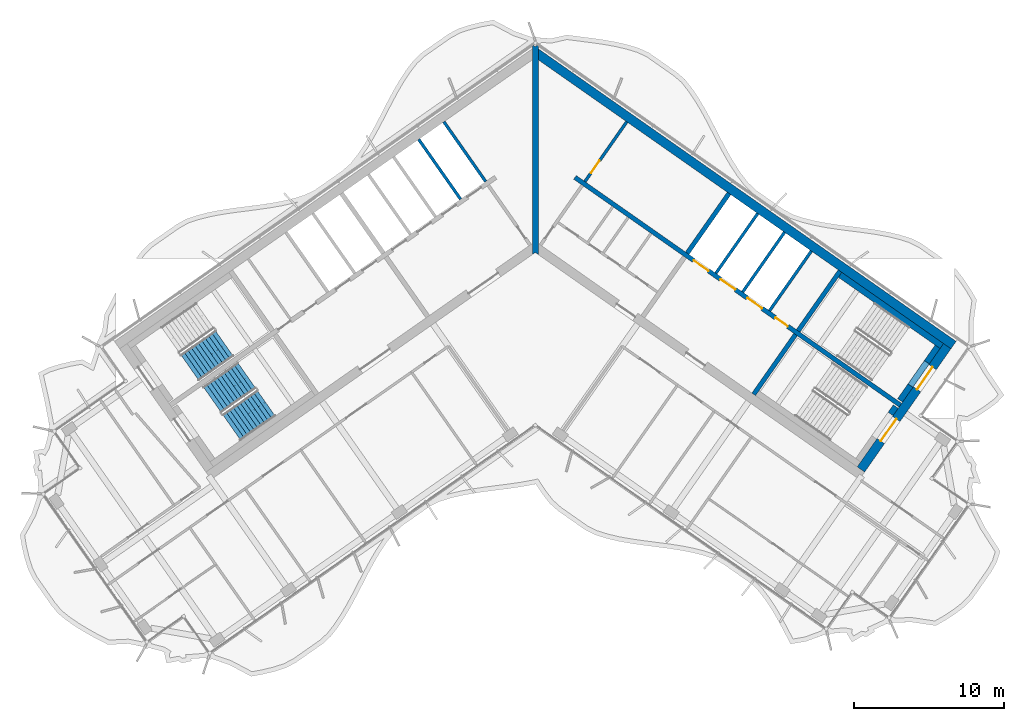
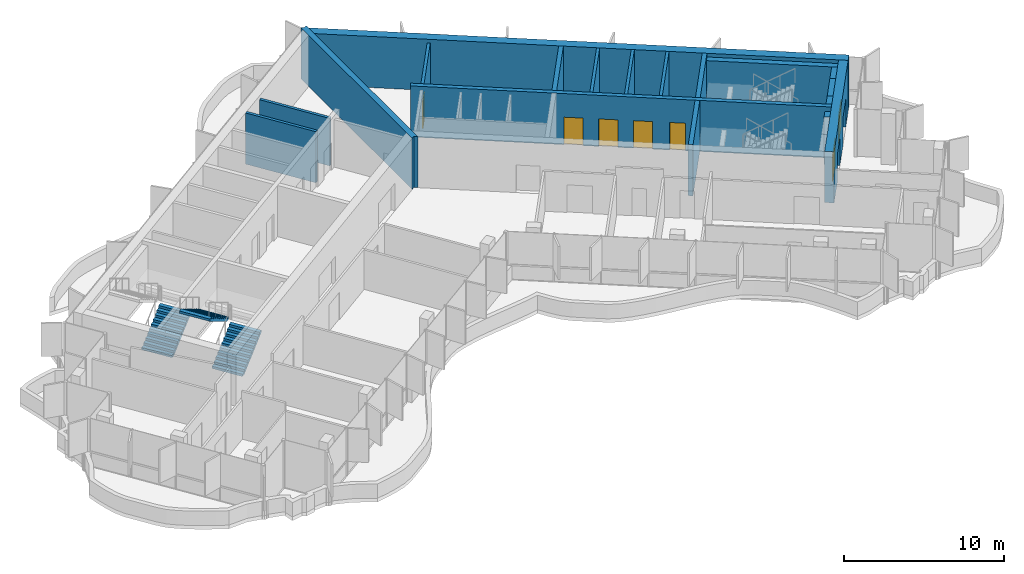
# One storey, part 11 of 17: 18 walls, 7 doors, 3 stair flights, 7 openings, 2 elements without a shape of their own.
"""IFC4 building model written with IfcOpenShell, lengths in metres."""

from ifc_helpers import new_model, si_unit, direction, frame, frame_2d, origin, place, context, subcontext, project, spatial, polyline, rectangle, outline, extrude, material, layer, layer_set, type_object, element, fill, aggregate, save


model = new_model("IFC4")

# Units and contexts
model_context = context("Model", 3, precision=1e-05, world=origin(), true_north=direction((0.0, 1.0)))
body_context = subcontext(model_context, "Body", "Model", "MODEL_VIEW")
ifc_project = project(units=[si_unit("LENGTHUNIT", "METRE"), si_unit("AREAUNIT", "SQUARE_METRE"), si_unit("VOLUMEUNIT", "CUBIC_METRE"), si_unit("PLANEANGLEUNIT", "RADIAN"), si_unit("MASSUNIT", "GRAM", prefix="KILO")], contexts=[model_context])

# Site, building, storey
site_placement = place(None, origin())
site = spatial("IfcSite", under=ifc_project, at=site_placement, CompositionType="ELEMENT")
building_placement = place(site_placement, origin())
building = spatial("IfcBuilding", under=site, at=building_placement, Name="Tel Ilan Convention Tower", CompositionType="ELEMENT")
storey_placement = place(building_placement, frame((0.0, 0.0, 283.89990234375)))
storey = spatial("IfcBuildingStorey", under=building, at=storey_placement, Name="L67", CompositionType="ELEMENT", Elevation=283.89990234375)

# Wall
ifc_material_1 = material(Name="Concrete C30/37", Category="concrete")
ifc_layer_1 = layer(ifc_material_1, 0.199951171875)
ifc_layer_set_1 = layer_set([ifc_layer_1], Name="Core Service Room Wall 200 mm C30/37")
wall_type_1 = type_object("IfcWallType", Name="Core Service Room Wall 200 mm C30/37", PredefinedType="SOLIDWALL", material=ifc_layer_set_1)
wall_1_placement = place(storey_placement, frame((-3.2978515625, 3.489501953125, 0.0), z_axis=(0.0, 0.0, 1.0), x_axis=(-0.573560315113, 0.819163332265, 0.0)))
element("IfcWall", 1, at=wall_1_placement, inside=storey, type_object=wall_type_1, Name="L67 core wall apex-W-b", PredefinedType="SOLIDWALL", context=body_context, shape_type="SweptSolid", body=[
    extrude(rectangle(XDim=4.849853515625, YDim=0.199951171875, at=frame_2d((2.4248046875, 0.0))), origin(), (0.0, 0.0, 1.0), 3.6201171875),
])

# Wall, opening, door
wall_2_placement = place(storey_placement, frame((3.2978515625, 3.489501953125, 0.0), z_axis=(0.0, 0.0, 1.0), x_axis=(0.573560315113, 0.819163332265, 0.0)))
wall_2 = element("IfcWall", 2, at=wall_2_placement, inside=storey, type_object=wall_type_1, Name="L67 core wall apex-E-b", PredefinedType="SOLIDWALL", context=body_context, shape_type="SweptSolid", body=[
    extrude(rectangle(XDim=4.849853515625, YDim=0.199951171875, at=frame_2d((2.4248046875, 0.0))), origin(), (0.0, 0.0, 1.0), 3.6201171875),
])
opening_1_placement = place(wall_2_placement, frame((0.699951171875, 0.0, 0.0)))
opening_1 = element("IfcOpeningElement", 3, at=opening_1_placement, cuts=wall_2, Name="Opening CD5003", PredefinedType="OPENING", context=body_context, shape_type="SweptSolid", body=[
    extrude(rectangle(XDim=1.0, YDim=2.10009765625, at=frame_2d((0.5, 1.050048828125))), frame((0.0, 0.10986328125, 0.0), z_axis=(0.0, -1.0, 0.0), x_axis=(1.0, 0.0, 0.0)), (0.0, 0.0, 1.0), 0.219970703125),
])
ifc_material_2 = material(Name="Galvanised Steel Door Leaf", Category="steel")
door_type_1 = type_object("IfcDoorType", Name="Service Room Door 1000 x 2100 FD60", OperationType="NOTDEFINED", PredefinedType="DOOR", material=ifc_material_2)
door_1_placement = place(opening_1_placement, origin())
door_1 = element("IfcDoor", 4, at=door_1_placement, inside=storey, type_object=door_type_1, Name="Plant Room door", OperationType="SINGLE_SWING_RIGHT", OverallHeight=2.10009765625, OverallWidth=1.0, PredefinedType="DOOR", context=body_context, shape_type="SweptSolid", body=[
    extrude(rectangle(XDim=1.0, YDim=2.10009765625, at=frame_2d((0.5, 1.050048828125))), frame((0.0, 0.02490234375, 0.0), z_axis=(0.0, -1.0, 0.0), x_axis=(1.0, 0.0, 0.0)), (0.0, 0.0, 1.0), 0.050048828125),
])
fill(opening_1, door_1)

# Walls
ifc_material_3 = material(Name="Concrete C40/50", Category="concrete")
ifc_layer_2 = layer(ifc_material_3, 0.300048828125)
ifc_layer_set_2 = layer_set([ifc_layer_2], Name="Core Shear Wall 300 mm C40/50")
wall_type_2 = type_object("IfcWallType", Name="Core Shear Wall 300 mm C40/50", PredefinedType="SHEAR", material=ifc_layer_set_2)
wall_3_placement = place(storey_placement, frame((10.096923828125, -1.271240234375, 0.0), z_axis=(0.0, 0.0, 1.0), x_axis=(0.573560315113, 0.819163332265, 0.0)))
element("IfcWall", 5, at=wall_3_placement, inside=storey, type_object=wall_type_2, Name="L67 core wall E-cross1-2", PredefinedType="SHEAR", context=body_context, shape_type="SweptSolid", body=[
    extrude(outline(polyline([(4.849853515625, -0.150146484375), (4.849853515625, 0.14990234375), (0.0, 0.150146484375), (0.0, -0.14990234375), (4.849853515625, -0.150146484375)])), origin(), (0.0, 0.0, 1.0), 3.900146484375),
])
wall_4_placement = place(storey_placement, frame((14.515380859375, -10.652099609375, 0.0), z_axis=(0.0, 0.0, 1.0), x_axis=(0.573560315113, 0.819163332265, 0.0)))
element("IfcWall", 6, at=wall_4_placement, inside=storey, type_object=wall_type_2, Name="L67 core wall E-cross2-1", PredefinedType="SHEAR", context=body_context, shape_type="SweptSolid", body=[
    extrude(outline(polyline([(0.0, 0.150146484375), (0.0, -0.14990234375), (4.85009765625, -0.14990234375), (4.85009765625, 0.14990234375), (0.0, 0.150146484375)])), origin(), (0.0, 0.0, 1.0), 3.900146484375),
])
wall_5_placement = place(storey_placement, frame((17.46923828125, -6.433349609375, 0.0), z_axis=(0.0, 0.0, 1.0), x_axis=(0.573594092424, 0.81913968109, 0.0)))
element("IfcWall", 7, at=wall_5_placement, inside=storey, type_object=wall_type_2, Name="L67 core wall E-cross2-2", PredefinedType="SHEAR", context=body_context, shape_type="SweptSolid", body=[
    extrude(outline(polyline([(4.849853515625, -0.14990234375), (4.849853515625, 0.150146484375), (0.0, 0.14990234375), (0.0, -0.14990234375), (4.849853515625, -0.14990234375)])), origin(), (0.0, 0.0, 1.0), 3.900146484375),
])

# Wall, openings, doors
wall_6_placement = place(storey_placement, frame((2.638427734375, 3.76806640625, 0.0), z_axis=(0.0, 0.0, 1.0), x_axis=(0.819155014212, -0.573572194837, 0.0)))
wall_6 = element("IfcWall", 8, at=wall_6_placement, inside=storey, type_object=wall_type_2, Name="L67 core wall E-spine", PredefinedType="SHEAR", context=body_context, shape_type="SweptSolid", body=[
    extrude(outline(polyline([(0.0, 0.150146484375), (0.0, -0.14990234375), (26.39990234375, -0.150146484375), (26.39990234375, 0.14990234375), (0.0, 0.150146484375)])), origin(), (0.0, 0.0, 1.0), 3.900146484375),
])
opening_2_placement = place(wall_6_placement, frame((9.637451171875, 0.0, 0.0)))
opening_2 = element("IfcOpeningElement", 9, at=opening_2_placement, cuts=wall_6, Name="Opening LD5001", PredefinedType="OPENING", context=body_context, shape_type="SweptSolid", body=[
    extrude(rectangle(XDim=1.199951171875, YDim=2.10009765625, at=frame_2d((0.60009765625, 1.050048828125))), frame((0.0, 0.159912109375, 0.0), z_axis=(0.0, -1.0, 0.0), x_axis=(1.0, 0.0, 0.0)), (0.0, 0.0, 1.0), 0.320068359375),
])
opening_3_placement = place(wall_6_placement, frame((11.8125, 0.0, 0.0)))
opening_3 = element("IfcOpeningElement", 10, at=opening_3_placement, cuts=wall_6, Name="Opening LD5002", PredefinedType="OPENING", context=body_context, shape_type="SweptSolid", body=[
    extrude(rectangle(XDim=1.199951171875, YDim=2.10009765625, at=frame_2d((0.60009765625, 1.050048828125))), frame((0.0, 0.159912109375, 0.0), z_axis=(0.0, -1.0, 0.0), x_axis=(1.0, 0.0, 0.0)), (0.0, 0.0, 1.0), 0.320068359375),
])
opening_4_placement = place(wall_6_placement, frame((13.987548828125, 0.0, 0.0)))
opening_4 = element("IfcOpeningElement", 11, at=opening_4_placement, cuts=wall_6, Name="Opening LD5003", PredefinedType="OPENING", context=body_context, shape_type="SweptSolid", body=[
    extrude(rectangle(XDim=1.199951171875, YDim=2.10009765625, at=frame_2d((0.60009765625, 1.050048828125))), frame((0.0, 0.159912109375, 0.0), z_axis=(0.0, -1.0, 0.0), x_axis=(1.0, 0.0, 0.0)), (0.0, 0.0, 1.0), 0.320068359375),
])
opening_5_placement = place(wall_6_placement, frame((16.262451171875, 0.0, 0.0)))
opening_5 = element("IfcOpeningElement", 12, at=opening_5_placement, cuts=wall_6, Name="Opening CD5008", PredefinedType="OPENING", context=body_context, shape_type="SweptSolid", body=[
    extrude(rectangle(XDim=1.0, YDim=2.10009765625, at=frame_2d((0.5, 1.050048828125))), frame((0.0, 0.159912109375, 0.0), z_axis=(0.0, -1.0, 0.0), x_axis=(1.0, 0.0, 0.0)), (0.0, 0.0, 1.0), 0.320068359375),
])
ifc_material_4 = material(Name="Stainless Steel Sliding Door Leaf", Category="steel")
door_type_2 = type_object("IfcDoorType", Name="Lift Landing Door 1200 x 2100 FD120", OperationType="NOTDEFINED", PredefinedType="DOOR", material=ifc_material_4)
door_2_placement = place(opening_2_placement, origin())
door_2 = element("IfcDoor", 13, at=door_2_placement, inside=storey, type_object=door_type_2, Name="Lift FL1 landing door", OperationType="SLIDING_TO_LEFT", OverallHeight=2.10009765625, OverallWidth=1.199951171875, PredefinedType="DOOR", context=body_context, shape_type="SweptSolid", body=[
    extrude(rectangle(XDim=1.199951171875, YDim=2.10009765625, at=frame_2d((0.60009765625, 1.050048828125))), frame((0.0, 0.02490234375, 0.0), z_axis=(0.0, -1.0, 0.0), x_axis=(1.0, 0.0, 0.0)), (0.0, 0.0, 1.0), 0.050048828125),
])
fill(opening_2, door_2)
door_3_placement = place(opening_3_placement, origin())
door_3 = element("IfcDoor", 14, at=door_3_placement, inside=storey, type_object=door_type_2, Name="Lift FL2 landing door", OperationType="SLIDING_TO_RIGHT", OverallHeight=2.10009765625, OverallWidth=1.199951171875, PredefinedType="DOOR", context=body_context, shape_type="SweptSolid", body=[
    extrude(rectangle(XDim=1.199951171875, YDim=2.10009765625, at=frame_2d((0.60009765625, 1.050048828125))), frame((0.0, 0.02490234375, 0.0), z_axis=(0.0, -1.0, 0.0), x_axis=(1.0, 0.0, 0.0)), (0.0, 0.0, 1.0), 0.050048828125),
])
fill(opening_3, door_3)
door_4_placement = place(opening_4_placement, origin())
door_4 = element("IfcDoor", 15, at=door_4_placement, inside=storey, type_object=door_type_2, Name="Lift FL3 landing door", OperationType="SLIDING_TO_LEFT", OverallHeight=2.10009765625, OverallWidth=1.199951171875, PredefinedType="DOOR", context=body_context, shape_type="SweptSolid", body=[
    extrude(rectangle(XDim=1.199951171875, YDim=2.10009765625, at=frame_2d((0.60009765625, 1.050048828125))), frame((0.0, 0.02490234375, 0.0), z_axis=(0.0, -1.0, 0.0), x_axis=(1.0, 0.0, 0.0)), (0.0, 0.0, 1.0), 0.050048828125),
])
fill(opening_4, door_4)
door_5_placement = place(opening_5_placement, origin())
door_5 = element("IfcDoor", 16, at=door_5_placement, inside=storey, type_object=door_type_1, Name="Plant Room door", OperationType="SINGLE_SWING_RIGHT", OverallHeight=2.10009765625, OverallWidth=1.0, PredefinedType="DOOR", context=body_context, shape_type="SweptSolid", body=[
    extrude(rectangle(XDim=1.0, YDim=2.10009765625, at=frame_2d((0.5, 1.050048828125))), frame((0.0, 0.02490234375, 0.0), z_axis=(0.0, -1.0, 0.0), x_axis=(1.0, 0.0, 0.0)), (0.0, 0.0, 1.0), 0.050048828125),
])
fill(opening_5, door_5)

# Walls
ifc_material_5 = material(Name="Concrete C40/50", Category="concrete")
ifc_layer_3 = layer(ifc_material_5, 0.39990234375)
ifc_layer_set_3 = layer_set([ifc_layer_3], Name="Core Shear Wall 400 mm C40/50")
wall_type_3 = type_object("IfcWallType", Name="Core Shear Wall 400 mm C40/50", PredefinedType="SHEAR", material=ifc_layer_set_3)
wall_7_placement = place(storey_placement, frame((0.0, -1.36083984375, 0.0), z_axis=(0.0, 0.0, 1.0), x_axis=(0.0, 1.0, 0.0)))
element("IfcWall", 17, at=wall_7_placement, inside=storey, type_object=wall_type_3, Name="L67 core wall K-central", PredefinedType="SHEAR", context=body_context, shape_type="SweptSolid", body=[
    extrude(outline(polyline([(0.14013671875, 0.199951171875), (0.0, 0.199951171875), (0.14013671875, 0.0), (0.0, -0.199951171875), (0.14013671875, -0.199951171875), (1.012451171875, -0.199951171875), (12.940185546875, -0.199951171875), (13.812744140625, -0.199951171875), (13.893310546875, -0.199951171875), (13.933349609375, -0.172119140625), (13.812744140625, 0.0), (13.933349609375, 0.172119140625), (13.893310546875, 0.199951171875), (13.812744140625, 0.199951171875), (12.940185546875, 0.199951171875), (1.012451171875, 0.199951171875), (0.14013671875, 0.199951171875)])), origin(), (0.0, 0.0, 1.0), 3.900146484375),
])
ifc_material_6 = material(Name="Concrete C40/50", Category="concrete")
ifc_layer_4 = layer(ifc_material_6, 0.60009765625)
ifc_layer_set_4 = layer_set([ifc_layer_4], Name="Core Shear Wall 600 mm C40/50")
wall_type_4 = type_object("IfcWallType", Name="Core Shear Wall 600 mm C40/50", PredefinedType="SHEAR", material=ifc_layer_set_4)
wall_8_placement = place(storey_placement, frame((0.02783203125, 12.066162109375, 0.0), z_axis=(0.0, 0.0, 1.0), x_axis=(0.819151382952, -0.573577380837, 0.0)))
element("IfcWall", 18, at=wall_8_placement, inside=storey, type_object=wall_type_4, Name="L67 core wall E-back", PredefinedType="SHEAR", context=body_context, shape_type="SweptSolid", body=[
    extrude(outline(polyline([(33.898193359375, 0.300048828125), (0.0, 0.300048828125), (0.420166015625, -0.300048828125), (33.89794921875, -0.300048828125), (33.898193359375, 0.300048828125)])), origin(), (0.0, 0.0, 1.0), 3.900146484375),
])

# Wall, openings, doors
wall_9_placement = place(storey_placement, frame((21.641845703125, -15.64208984375, 0.0), z_axis=(0.0, 0.0, 1.0), x_axis=(0.573586866468, 0.819144740944, 0.0)))
wall_9 = element("IfcWall", 19, at=wall_9_placement, inside=storey, type_object=wall_type_4, Name="L67 core wall E-end", PredefinedType="SHEAR", context=body_context, shape_type="SweptSolid", body=[
    extrude(outline(polyline([(10.0, 0.300048828125), (0.0, 0.2998046875), (0.0, -0.300048828125), (10.0, -0.300048828125), (10.0, 0.300048828125)])), origin(), (0.0, 0.0, 1.0), 3.900146484375),
])
opening_6_placement = place(wall_9_placement, frame((6.5, 0.0, 0.0)))
opening_6 = element("IfcOpeningElement", 20, at=opening_6_placement, cuts=wall_9, Name="Opening SD5003", PredefinedType="OPENING", context=body_context, shape_type="SweptSolid", body=[
    extrude(rectangle(XDim=1.800048828125, YDim=2.10009765625, at=frame_2d((0.89990234375, 1.050048828125))), frame((0.0, 0.31005859375, 0.0), z_axis=(0.0, -1.0, 0.0), x_axis=(1.0, 0.0, 0.0)), (0.0, 0.0, 1.0), 0.6201171875),
])
opening_7_placement = place(wall_9_placement, frame((2.300048828125, 0.0, 0.0)))
opening_7 = element("IfcOpeningElement", 21, at=opening_7_placement, cuts=wall_9, Name="Opening SD5004", PredefinedType="OPENING", context=body_context, shape_type="SweptSolid", body=[
    extrude(rectangle(XDim=1.800048828125, YDim=2.10009765625, at=frame_2d((0.89990234375, 1.050048828125))), frame((0.0, 0.31005859375, 0.0), z_axis=(0.0, -1.0, 0.0), x_axis=(1.0, 0.0, 0.0)), (0.0, 0.0, 1.0), 0.6201171875),
])
ifc_material_7 = material(Name="Galvanised Steel Door Leaf", Category="steel")
door_type_3 = type_object("IfcDoorType", Name="Stair Fire Door 1800 x 2100 FD60S", OperationType="NOTDEFINED", PredefinedType="DOOR", material=ifc_material_7)
door_6_placement = place(opening_6_placement, origin())
door_6 = element("IfcDoor", 22, at=door_6_placement, inside=storey, type_object=door_type_3, Name="Stair S3 door", OperationType="DOUBLE_DOOR_SINGLE_SWING", OverallHeight=2.10009765625, OverallWidth=1.800048828125, PredefinedType="DOOR", context=body_context, shape_type="SweptSolid", body=[
    extrude(rectangle(XDim=1.800048828125, YDim=2.10009765625, at=frame_2d((0.89990234375, 1.050048828125))), frame((0.0, 0.02490234375, 0.0), z_axis=(0.0, -1.0, 0.0), x_axis=(1.0, 0.0, 0.0)), (0.0, 0.0, 1.0), 0.050048828125),
])
fill(opening_6, door_6)
door_7_placement = place(opening_7_placement, origin())
door_7 = element("IfcDoor", 23, at=door_7_placement, inside=storey, type_object=door_type_3, Name="Stair S4 door", OperationType="DOUBLE_DOOR_SINGLE_SWING", OverallHeight=2.10009765625, OverallWidth=1.800048828125, PredefinedType="DOOR", context=body_context, shape_type="SweptSolid", body=[
    extrude(rectangle(XDim=1.800048828125, YDim=2.10009765625, at=frame_2d((0.89990234375, 1.050048828125))), frame((0.0, 0.02490234375, 0.0), z_axis=(0.0, -1.0, 0.0), x_axis=(1.0, 0.0, 0.0)), (0.0, 0.0, 1.0), 0.050048828125),
])
fill(opening_7, door_7)

# Walls
ifc_material_8 = material(Name="Concrete C30/37", Category="concrete")
ifc_layer_5 = layer(ifc_material_8, 0.199951171875)
ifc_layer_set_5 = layer_set([ifc_layer_5], Name="Lift Shaft Wall 200 mm C30/37")
wall_type_5 = type_object("IfcWallType", Name="Lift Shaft Wall 200 mm C30/37", PredefinedType="SOLIDWALL", material=ifc_layer_set_5)
wall_10_placement = place(storey_placement, frame((-4.966796875, 2.32080078125, 0.0), z_axis=(0.0, 0.0, 1.0), x_axis=(-0.573594092424, 0.81913968109, 0.0)))
element("IfcWall", 24, at=wall_10_placement, inside=storey, type_object=wall_type_5, Name="L67 core wall bank-W1-p0", PredefinedType="SOLIDWALL", context=body_context, shape_type="SweptSolid", body=[
    extrude(rectangle(XDim=4.85009765625, YDim=0.199951171875, at=frame_2d((2.425048828125, 0.0))), origin(), (0.0, 0.0, 1.0), 3.900146484375),
])
wall_11_placement = place(storey_placement, frame((12.00146484375, -2.604736328125, 0.0), z_axis=(0.0, 0.0, 1.0), x_axis=(0.573560315113, 0.819163332265, 0.0)))
element("IfcWall", 25, at=wall_11_placement, inside=storey, type_object=wall_type_5, Name="L67 core wall bank-E2-p0", PredefinedType="SOLIDWALL", context=body_context, shape_type="SweptSolid", body=[
    extrude(rectangle(XDim=4.849853515625, YDim=0.199951171875, at=frame_2d((2.4248046875, 0.0))), origin(), (0.0, 0.0, 1.0), 3.900146484375),
])
wall_12_placement = place(storey_placement, frame((13.782958984375, -3.852294921875, 0.0), z_axis=(0.0, 0.0, 1.0), x_axis=(0.573594092424, 0.81913968109, 0.0)))
element("IfcWall", 26, at=wall_12_placement, inside=storey, type_object=wall_type_5, Name="L67 core wall bank-E2-p1", PredefinedType="SOLIDWALL", context=body_context, shape_type="SweptSolid", body=[
    extrude(rectangle(XDim=4.85009765625, YDim=0.199951171875, at=frame_2d((2.425048828125, 0.0))), origin(), (0.0, 0.0, 1.0), 3.900146484375),
])
wall_13_placement = place(storey_placement, frame((15.564697265625, -5.099853515625, 0.0), z_axis=(0.0, 0.0, 1.0), x_axis=(0.573560315113, 0.819163332265, 0.0)))
element("IfcWall", 27, at=wall_13_placement, inside=storey, type_object=wall_type_5, Name="L67 core wall bank-E2-p2", PredefinedType="SOLIDWALL", context=body_context, shape_type="SweptSolid", body=[
    extrude(rectangle(XDim=4.849853515625, YDim=0.199951171875, at=frame_2d((2.4248046875, 0.0))), origin(), (0.0, 0.0, 1.0), 3.900146484375),
])
ifc_material_9 = material(Name="Concrete C30/37", Category="concrete")
ifc_layer_6 = layer(ifc_material_9, 0.39990234375)
ifc_layer_set_6 = layer_set([ifc_layer_6], Name="Stair and Shaft Lining Wall 400 mm C30/37")
wall_type_6 = type_object("IfcWallType", Name="Stair and Shaft Lining Wall 400 mm C30/37", PredefinedType="SOLIDWALL", material=ifc_layer_set_6)
wall_14_placement = place(storey_placement, frame((20.25927734375, -2.71044921875, 0.0), z_axis=(0.0, 0.0, 1.0), x_axis=(0.81914849389, -0.573581506813, 0.0)))
element("IfcWall", 28, at=wall_14_placement, inside=storey, type_object=wall_type_6, Name="L67 core wall lining-S3-t1", PredefinedType="SOLIDWALL", context=body_context, shape_type="SweptSolid", body=[
    extrude(rectangle(XDim=8.249755859375, YDim=0.39990234375, at=frame_2d((4.125, 0.0))), origin(), (0.0, 0.0, 1.0), 3.6201171875),
])
wall_15_placement = place(storey_placement, frame((24.24365234375, -11.0546875, 0.0), z_axis=(0.0, 0.0, 1.0), x_axis=(0.573571582932, 0.819155442668, 0.0)))
element("IfcWall", 29, at=wall_15_placement, inside=storey, type_object=wall_type_6, Name="L67 core wall lining-S3-u1-0", PredefinedType="SOLIDWALL", context=body_context, shape_type="SweptSolid", body=[
    extrude(rectangle(XDim=1.199951171875, YDim=0.39990234375, at=frame_2d((0.60009765625, 0.0))), origin(), (0.0, 0.0, 1.0), 3.6201171875),
])
wall_16_placement = place(storey_placement, frame((26.021728515625, -8.515380859375, 0.0), z_axis=(0.0, 0.0, 1.0), x_axis=(0.573619628835, 0.819121798889, 0.0)))
element("IfcWall", 30, at=wall_16_placement, inside=storey, type_object=wall_type_6, Name="L67 core wall lining-S3-u1-1", PredefinedType="SOLIDWALL", context=body_context, shape_type="SweptSolid", body=[
    extrude(rectangle(XDim=1.25, YDim=0.39990234375, at=frame_2d((0.625, 0.0))), origin(), (0.0, 0.0, 1.0), 3.6201171875),
])
wall_17_placement = place(storey_placement, frame((24.931884765625, -10.07177734375, 2.150146484375), z_axis=(0.0, 0.0, 1.0), x_axis=(0.573591692345, 0.819141361715, 0.0)))
element("IfcWall", 31, at=wall_17_placement, inside=storey, type_object=wall_type_6, Name="L67 core wall lining-S3-u1-lintel", PredefinedType="SOLIDWALL", context=body_context, shape_type="SweptSolid", body=[
    extrude(rectangle(XDim=1.900146484375, YDim=0.39990234375, at=frame_2d((0.9501953125, 0.0))), origin(), (0.0, 0.0, 1.0), 1.469970703125),
])
wall_18_placement = place(storey_placement, frame((23.61279296875, -11.955810546875, 0.0), z_axis=(0.0, 0.0, 1.0), x_axis=(0.573435029941, 0.819251039936, 0.0)))
element("IfcWall", 32, at=wall_18_placement, inside=storey, type_object=wall_type_6, Name="L67 core wall lining-S4-u1-1", PredefinedType="SOLIDWALL", context=body_context, shape_type="SweptSolid", body=[
    extrude(rectangle(XDim=0.599853515625, YDim=0.39990234375, at=frame_2d((0.2998046875, 0.0))), origin(), (0.0, 0.0, 1.0), 3.6201171875),
])

# Stair, stair flight
ifc_material_10 = material(Name="Concrete C40/50", Category="concrete")
stair_type = type_object("IfcStairType", Name="Pressurised Exit Stair 22 risers 177 mm", PredefinedType="HALF_TURN_STAIR", material=ifc_material_10)
stair_1_placement = place(storey_placement, origin())
stair_1 = element("IfcStair", 33, at=stair_1_placement, inside=storey, type_object=stair_type, Name="L67 Pressurised Stair S1", PredefinedType="HALF_TURN_STAIR")
ifc_material_11 = material(Name="Precast Concrete C40/50", Category="concrete")
stair_flight_type = type_object("IfcStairFlightType", Name="Concrete Stair Flight 2100 mm 22 risers 177 mm", PredefinedType="STRAIGHT", material=ifc_material_11)
stair_flight_1_placement = place(storey_placement, frame((-22.9619140625, -8.87548828125, 0.0), z_axis=(0.0, 0.0, 1.0), x_axis=(0.819152044289, 0.573576436351, 0.0)))
stair_flight_1 = element("IfcStairFlight", 34, at=stair_flight_1_placement, type_object=stair_flight_type, Name="S1 flight 1", NumberOfRisers=11, NumberOfTreads=10, PredefinedType="STRAIGHT", RiserHeight=0.177272727, TreadLength=0.28, context=body_context, shape_type="SweptSolid", body=[
    extrude(outline(polyline([(0.0, 0.0), (0.0, 0.17724609375), (0.280029296875, 0.17724609375), (0.280029296875, 0.3544921875), (0.56005859375, 0.3544921875), (0.56005859375, 0.53173828125), (0.840087890625, 0.53173828125), (0.840087890625, 0.708984375), (1.1201171875, 0.708984375), (1.1201171875, 0.886474609375), (1.39990234375, 0.886474609375), (1.39990234375, 1.063720703125), (1.679931640625, 1.063720703125), (1.679931640625, 1.240966796875), (1.9599609375, 1.240966796875), (1.9599609375, 1.418212890625), (2.239990234375, 1.418212890625), (2.239990234375, 1.595458984375), (2.52001953125, 1.595458984375), (2.52001953125, 1.772705078125), (2.800048828125, 1.772705078125), (2.800048828125, 1.949951171875), (2.800048828125, 1.59521484375), (0.2802734375, 0.0), (0.0, 0.0)])), frame((0.0, -0.100341796875, 0.0), z_axis=(0.0, -1.0, 0.0), x_axis=(1.0, 0.0, 0.0)), (0.0, 0.0, 1.0), 0.94970703125),
    extrude(outline(polyline([(0.0, 0.0), (0.0, 0.17724609375), (0.280029296875, 0.17724609375), (0.280029296875, 0.3544921875), (0.56005859375, 0.3544921875), (0.56005859375, 0.53173828125), (0.840087890625, 0.53173828125), (0.840087890625, 0.708984375), (1.1201171875, 0.708984375), (1.1201171875, 0.886474609375), (1.39990234375, 0.886474609375), (1.39990234375, 1.063720703125), (1.679931640625, 1.063720703125), (1.679931640625, 1.240966796875), (1.9599609375, 1.240966796875), (1.9599609375, 1.418212890625), (2.239990234375, 1.418212890625), (2.239990234375, 1.595458984375), (2.52001953125, 1.595458984375), (2.52001953125, 1.772705078125), (2.800048828125, 1.772705078125), (2.800048828125, 1.949951171875), (2.800048828125, 1.59521484375), (0.2802734375, 0.0), (0.0, 0.0)])), frame((0.0, -0.000244140625, 0.0), z_axis=(0.0, -1.0, 0.0), x_axis=(1.0, 0.0, 0.0)), (0.0, 0.0, 1.0), 0.099609375),
    extrude(outline(polyline([(0.0, 0.0), (0.0, 0.17724609375), (0.280029296875, 0.17724609375), (0.280029296875, 0.3544921875), (0.56005859375, 0.3544921875), (0.56005859375, 0.53173828125), (0.840087890625, 0.53173828125), (0.840087890625, 0.708984375), (1.1201171875, 0.708984375), (1.1201171875, 0.886474609375), (1.39990234375, 0.886474609375), (1.39990234375, 1.063720703125), (1.679931640625, 1.063720703125), (1.679931640625, 1.240966796875), (1.9599609375, 1.240966796875), (1.9599609375, 1.418212890625), (2.239990234375, 1.418212890625), (2.239990234375, 1.595458984375), (2.52001953125, 1.595458984375), (2.52001953125, 1.772705078125), (2.800048828125, 1.772705078125), (2.800048828125, 1.949951171875), (2.800048828125, 1.59521484375), (0.2802734375, 0.0), (0.0, 0.0)])), frame((0.0, 0.099853515625, 0.0), z_axis=(0.0, -1.0, 0.0), x_axis=(1.0, 0.0, 0.0)), (0.0, 0.0, 1.0), 0.099609375),
    extrude(outline(polyline([(0.0, 0.0), (0.0, 0.17724609375), (0.280029296875, 0.17724609375), (0.280029296875, 0.3544921875), (0.56005859375, 0.3544921875), (0.56005859375, 0.53173828125), (0.840087890625, 0.53173828125), (0.840087890625, 0.708984375), (1.1201171875, 0.708984375), (1.1201171875, 0.886474609375), (1.39990234375, 0.886474609375), (1.39990234375, 1.063720703125), (1.679931640625, 1.063720703125), (1.679931640625, 1.240966796875), (1.9599609375, 1.240966796875), (1.9599609375, 1.418212890625), (2.239990234375, 1.418212890625), (2.239990234375, 1.595458984375), (2.52001953125, 1.595458984375), (2.52001953125, 1.772705078125), (2.800048828125, 1.772705078125), (2.800048828125, 1.949951171875), (2.800048828125, 1.59521484375), (0.2802734375, 0.0), (0.0, 0.0)])), frame((0.0, 1.050048828125, 0.0), z_axis=(0.0, -1.0, 0.0), x_axis=(1.0, 0.0, 0.0)), (0.0, 0.0, 1.0), 0.94970703125),
])
aggregate(stair_1, [stair_flight_1])

# Stair, stair flights
stair_2_placement = place(storey_placement, origin())
stair_2 = element("IfcStair", 35, at=stair_2_placement, inside=storey, type_object=stair_type, Name="L67 Pressurised Stair S2", PredefinedType="HALF_TURN_STAIR")
stair_flight_2_placement = place(storey_placement, frame((-20.179931640625, -12.848388671875, 0.0), z_axis=(0.0, 0.0, 1.0), x_axis=(0.819152044289, 0.573576436351, 0.0)))
stair_flight_2 = element("IfcStairFlight", 36, at=stair_flight_2_placement, type_object=stair_flight_type, Name="S2 flight 1", NumberOfRisers=11, NumberOfTreads=10, PredefinedType="STRAIGHT", RiserHeight=0.177272727, TreadLength=0.28, context=body_context, shape_type="SweptSolid", body=[
    extrude(outline(polyline([(0.0, 0.0), (0.0, 0.17724609375), (0.280029296875, 0.17724609375), (0.280029296875, 0.3544921875), (0.56005859375, 0.3544921875), (0.56005859375, 0.53173828125), (0.840087890625, 0.53173828125), (0.840087890625, 0.708984375), (1.1201171875, 0.708984375), (1.1201171875, 0.886474609375), (1.39990234375, 0.886474609375), (1.39990234375, 1.063720703125), (1.679931640625, 1.063720703125), (1.679931640625, 1.240966796875), (1.9599609375, 1.240966796875), (1.9599609375, 1.418212890625), (2.239990234375, 1.418212890625), (2.239990234375, 1.595458984375), (2.52001953125, 1.595458984375), (2.52001953125, 1.772705078125), (2.800048828125, 1.772705078125), (2.800048828125, 1.949951171875), (2.800048828125, 1.59521484375), (0.2802734375, 0.0), (0.0, 0.0)])), frame((0.0, -0.100341796875, 0.0), z_axis=(0.0, -1.0, 0.0), x_axis=(1.0, 0.0, 0.0)), (0.0, 0.0, 1.0), 0.94970703125),
    extrude(outline(polyline([(0.0, 0.0), (0.0, 0.17724609375), (0.280029296875, 0.17724609375), (0.280029296875, 0.3544921875), (0.56005859375, 0.3544921875), (0.56005859375, 0.53173828125), (0.840087890625, 0.53173828125), (0.840087890625, 0.708984375), (1.1201171875, 0.708984375), (1.1201171875, 0.886474609375), (1.39990234375, 0.886474609375), (1.39990234375, 1.063720703125), (1.679931640625, 1.063720703125), (1.679931640625, 1.240966796875), (1.9599609375, 1.240966796875), (1.9599609375, 1.418212890625), (2.239990234375, 1.418212890625), (2.239990234375, 1.595458984375), (2.52001953125, 1.595458984375), (2.52001953125, 1.772705078125), (2.800048828125, 1.772705078125), (2.800048828125, 1.949951171875), (2.800048828125, 1.59521484375), (0.2802734375, 0.0), (0.0, 0.0)])), frame((0.0, -0.000244140625, 0.0), z_axis=(0.0, -1.0, 0.0), x_axis=(1.0, 0.0, 0.0)), (0.0, 0.0, 1.0), 0.099609375),
    extrude(outline(polyline([(0.0, 0.0), (0.0, 0.17724609375), (0.280029296875, 0.17724609375), (0.280029296875, 0.3544921875), (0.56005859375, 0.3544921875), (0.56005859375, 0.53173828125), (0.840087890625, 0.53173828125), (0.840087890625, 0.708984375), (1.1201171875, 0.708984375), (1.1201171875, 0.886474609375), (1.39990234375, 0.886474609375), (1.39990234375, 1.063720703125), (1.679931640625, 1.063720703125), (1.679931640625, 1.240966796875), (1.9599609375, 1.240966796875), (1.9599609375, 1.418212890625), (2.239990234375, 1.418212890625), (2.239990234375, 1.595458984375), (2.52001953125, 1.595458984375), (2.52001953125, 1.772705078125), (2.800048828125, 1.772705078125), (2.800048828125, 1.949951171875), (2.800048828125, 1.59521484375), (0.2802734375, 0.0), (0.0, 0.0)])), frame((0.0, 0.099853515625, 0.0), z_axis=(0.0, -1.0, 0.0), x_axis=(1.0, 0.0, 0.0)), (0.0, 0.0, 1.0), 0.099609375),
    extrude(outline(polyline([(0.0, 0.0), (0.0, 0.17724609375), (0.280029296875, 0.17724609375), (0.280029296875, 0.3544921875), (0.56005859375, 0.3544921875), (0.56005859375, 0.53173828125), (0.840087890625, 0.53173828125), (0.840087890625, 0.708984375), (1.1201171875, 0.708984375), (1.1201171875, 0.886474609375), (1.39990234375, 0.886474609375), (1.39990234375, 1.063720703125), (1.679931640625, 1.063720703125), (1.679931640625, 1.240966796875), (1.9599609375, 1.240966796875), (1.9599609375, 1.418212890625), (2.239990234375, 1.418212890625), (2.239990234375, 1.595458984375), (2.52001953125, 1.595458984375), (2.52001953125, 1.772705078125), (2.800048828125, 1.772705078125), (2.800048828125, 1.949951171875), (2.800048828125, 1.59521484375), (0.2802734375, 0.0), (0.0, 0.0)])), frame((0.0, 1.050048828125, 0.0), z_axis=(0.0, -1.0, 0.0), x_axis=(1.0, 0.0, 0.0)), (0.0, 0.0, 1.0), 0.94970703125),
])
stair_flight_3_placement = place(storey_placement, frame((-19.177001953125, -9.399169921875, 1.9501953125), z_axis=(0.0, 0.0, 1.0), x_axis=(-0.819152044289, -0.573576436351, 0.0)))
stair_flight_3 = element("IfcStairFlight", 37, at=stair_flight_3_placement, type_object=stair_flight_type, Name="S2 flight 2", NumberOfRisers=11, NumberOfTreads=10, PredefinedType="STRAIGHT", RiserHeight=0.177272727, TreadLength=0.28, context=body_context, shape_type="SweptSolid", body=[
    extrude(outline(polyline([(0.0, 0.0), (0.0, 0.17724609375), (0.280029296875, 0.17724609375), (0.280029296875, 0.3544921875), (0.56005859375, 0.3544921875), (0.56005859375, 0.53173828125), (0.840087890625, 0.53173828125), (0.840087890625, 0.708984375), (1.1201171875, 0.708984375), (1.1201171875, 0.886474609375), (1.39990234375, 0.886474609375), (1.39990234375, 1.063720703125), (1.679931640625, 1.063720703125), (1.679931640625, 1.240966796875), (1.9599609375, 1.240966796875), (1.9599609375, 1.418212890625), (2.239990234375, 1.418212890625), (2.239990234375, 1.595458984375), (2.52001953125, 1.595458984375), (2.52001953125, 1.772705078125), (2.800048828125, 1.772705078125), (2.800048828125, 1.949951171875), (2.800048828125, 1.59521484375), (0.2802734375, 0.0), (0.0, 0.0)])), frame((0.0, -0.100341796875, 0.0), z_axis=(0.0, -1.0, 0.0), x_axis=(1.0, 0.0, 0.0)), (0.0, 0.0, 1.0), 0.94970703125),
    extrude(outline(polyline([(0.0, 0.0), (0.0, 0.17724609375), (0.280029296875, 0.17724609375), (0.280029296875, 0.3544921875), (0.56005859375, 0.3544921875), (0.56005859375, 0.53173828125), (0.840087890625, 0.53173828125), (0.840087890625, 0.708984375), (1.1201171875, 0.708984375), (1.1201171875, 0.886474609375), (1.39990234375, 0.886474609375), (1.39990234375, 1.063720703125), (1.679931640625, 1.063720703125), (1.679931640625, 1.240966796875), (1.9599609375, 1.240966796875), (1.9599609375, 1.418212890625), (2.239990234375, 1.418212890625), (2.239990234375, 1.595458984375), (2.52001953125, 1.595458984375), (2.52001953125, 1.772705078125), (2.800048828125, 1.772705078125), (2.800048828125, 1.949951171875), (2.800048828125, 1.59521484375), (0.2802734375, 0.0), (0.0, 0.0)])), frame((0.0, -0.000244140625, 0.0), z_axis=(0.0, -1.0, 0.0), x_axis=(1.0, 0.0, 0.0)), (0.0, 0.0, 1.0), 0.099609375),
    extrude(outline(polyline([(0.0, 0.0), (0.0, 0.17724609375), (0.280029296875, 0.17724609375), (0.280029296875, 0.3544921875), (0.56005859375, 0.3544921875), (0.56005859375, 0.53173828125), (0.840087890625, 0.53173828125), (0.840087890625, 0.708984375), (1.1201171875, 0.708984375), (1.1201171875, 0.886474609375), (1.39990234375, 0.886474609375), (1.39990234375, 1.063720703125), (1.679931640625, 1.063720703125), (1.679931640625, 1.240966796875), (1.9599609375, 1.240966796875), (1.9599609375, 1.418212890625), (2.239990234375, 1.418212890625), (2.239990234375, 1.595458984375), (2.52001953125, 1.595458984375), (2.52001953125, 1.772705078125), (2.800048828125, 1.772705078125), (2.800048828125, 1.949951171875), (2.800048828125, 1.59521484375), (0.2802734375, 0.0), (0.0, 0.0)])), frame((0.0, 0.099853515625, 0.0), z_axis=(0.0, -1.0, 0.0), x_axis=(1.0, 0.0, 0.0)), (0.0, 0.0, 1.0), 0.099609375),
    extrude(outline(polyline([(0.0, 0.0), (0.0, 0.17724609375), (0.280029296875, 0.17724609375), (0.280029296875, 0.3544921875), (0.56005859375, 0.3544921875), (0.56005859375, 0.53173828125), (0.840087890625, 0.53173828125), (0.840087890625, 0.708984375), (1.1201171875, 0.708984375), (1.1201171875, 0.886474609375), (1.39990234375, 0.886474609375), (1.39990234375, 1.063720703125), (1.679931640625, 1.063720703125), (1.679931640625, 1.240966796875), (1.9599609375, 1.240966796875), (1.9599609375, 1.418212890625), (2.239990234375, 1.418212890625), (2.239990234375, 1.595458984375), (2.52001953125, 1.595458984375), (2.52001953125, 1.772705078125), (2.800048828125, 1.772705078125), (2.800048828125, 1.949951171875), (2.800048828125, 1.59521484375), (0.2802734375, 0.0), (0.0, 0.0)])), frame((0.0, 1.050048828125, 0.0), z_axis=(0.0, -1.0, 0.0), x_axis=(1.0, 0.0, 0.0)), (0.0, 0.0, 1.0), 0.94970703125),
])
aggregate(stair_2, [stair_flight_2, stair_flight_3])

save(model, "model.ifc")
